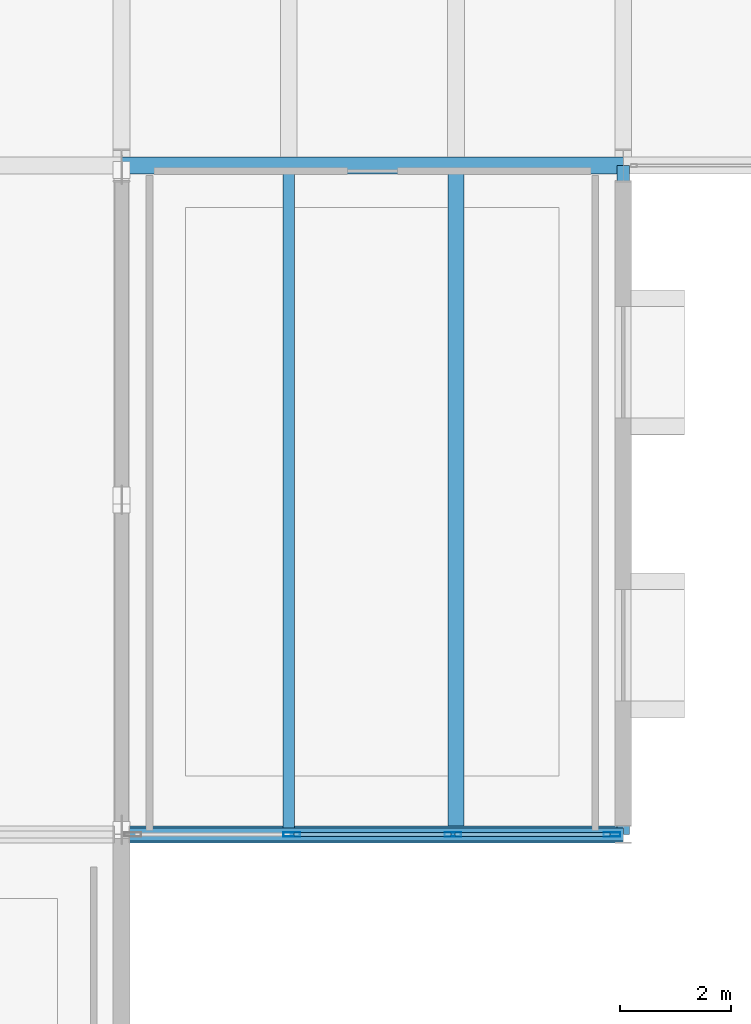
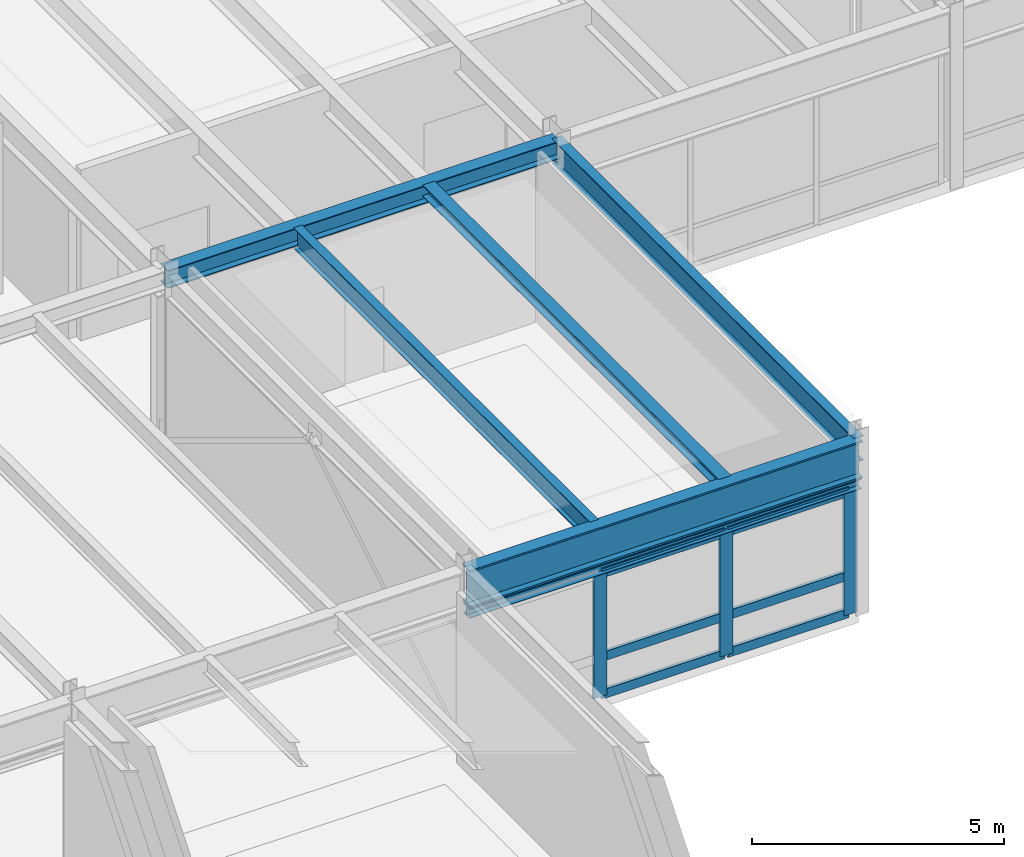
# One storey, part 88 of 127: 9 members, 6 beams, 1 element without a shape of its own.
"""IFC4 building model written with IfcOpenShell, lengths in metres."""

from ifc_helpers import new_model, si_unit, direction, frame, origin, origin_2d, place, context, subcontext, project, spatial, hollow_rectangle, i_section, extrude, material, layer, layer_set, material_profile, profile_set, type_object, element, aggregate, save


model = new_model("IFC4")

# Units and contexts
model_context = context("Model", 3, precision=1e-05, world=origin(), true_north=direction((0.0, 1.0)))
body_context = subcontext(model_context, "Body", "Model", "MODEL_VIEW")
ifc_project = project(units=[si_unit("LENGTHUNIT", "METRE"), si_unit("AREAUNIT", "SQUARE_METRE"), si_unit("VOLUMEUNIT", "CUBIC_METRE"), si_unit("PLANEANGLEUNIT", "RADIAN"), si_unit("MASSUNIT", "GRAM", prefix="KILO")], contexts=[model_context])

# Site, building, storey
site_placement = place(None, origin())
site = spatial("IfcSite", under=ifc_project, at=site_placement, CompositionType="ELEMENT")
building_placement = place(site_placement, origin())
building = spatial("IfcBuilding", under=site, at=building_placement, Name="Montelvaro Courts of Justice", CompositionType="ELEMENT")
storey_placement = place(building_placement, frame((0.0, 0.0, 5.39990234375)))
storey = spatial("IfcBuildingStorey", under=building, at=storey_placement, Name="L01", CompositionType="ELEMENT", Elevation=5.39990234375)

# Beams
ifc_material_1 = material(Name="Steel S355", Category="steel")
ifc_material_profile_1 = material_profile(ifc_material_1, i_section(OverallWidth=0.239990234375, OverallDepth=0.22998046875, WebThickness=0.007568359375, FlangeThickness=0.011962890625, at=origin_2d()), Name="HEA 240")
ifc_profile_set_1 = profile_set([ifc_material_profile_1], Name="Steel S355")
beam_type_1 = type_object("IfcBeamType", Name="Beam_HEA240", PredefinedType="LINTEL", material=ifc_profile_set_1)
beam_1_placement = place(storey_placement, frame((126.0, 66.0, 3.135009765625), z_axis=(1.0, 0.0, 0.0), x_axis=(0.0, 1.0, 0.0)))
element("IfcBeam", 1, at=beam_1_placement, inside=storey, type_object=beam_type_1, Name="Beam B-13 L01", PredefinedType="LINTEL", context=body_context, shape_type="SweptSolid", body=[
    extrude(i_section(OverallWidth=0.239990234375, OverallDepth=0.22998046875, WebThickness=0.007568359375, FlangeThickness=0.011962890625, at=origin_2d()), origin(), (0.0, 0.0, 1.0), 9.0),
])
ifc_material_profile_2 = material_profile(ifc_material_1, i_section(OverallWidth=0.280029296875, OverallDepth=0.27001953125, WebThickness=0.008056640625, FlangeThickness=0.012939453125, at=origin_2d()), Name="HEA 280")
ifc_profile_set_2 = profile_set([ifc_material_profile_2], Name="Steel S355")
beam_type_2 = type_object("IfcBeamType", Name="Beam_HEA280", PredefinedType="BEAM", material=ifc_profile_set_2)
beam_2_placement = place(storey_placement, frame((132.0, 66.110107421875, 4.065185546875), z_axis=(0.0, 1.0, 0.0), x_axis=(-1.0, 0.0, 0.0)))
element("IfcBeam", 2, at=beam_2_placement, inside=storey, type_object=beam_type_2, Name="Beam B-14 L01", PredefinedType="BEAM", context=body_context, shape_type="SweptSolid", body=[
    extrude(i_section(OverallWidth=0.280029296875, OverallDepth=0.27001953125, WebThickness=0.008056640625, FlangeThickness=0.012939453125, at=origin_2d()), origin(), (0.0, 0.0, 1.0), 11.77978515625),
])
ifc_material_profile_3 = material_profile(ifc_material_1, i_section(OverallWidth=0.300048828125, OverallDepth=0.43994140625, WebThickness=0.011474609375, FlangeThickness=0.02099609375, at=origin_2d()), Name="HEA 450")
ifc_profile_set_3 = profile_set([ifc_material_profile_3], Name="Steel S355")
beam_type_3 = type_object("IfcBeamType", Name="Beam_HEA450", PredefinedType="USERDEFINED", material=ifc_profile_set_3)
beam_3_placement = place(storey_placement, frame((126.0, 78.0, 3.97998046875), z_axis=(1.0, 0.0, 0.0), x_axis=(0.0, 1.0, 0.0)))
element("IfcBeam", 3, at=beam_3_placement, inside=storey, type_object=beam_type_3, Name="Beam B-18 L01", ObjectType="GIRDER", PredefinedType="USERDEFINED", context=body_context, shape_type="SweptSolid", body=[
    extrude(i_section(OverallWidth=0.300048828125, OverallDepth=0.43994140625, WebThickness=0.011474609375, FlangeThickness=0.02099609375, at=origin_2d()), origin(), (0.0, 0.0, 1.0), 9.0),
])
ifc_material_profile_4 = material_profile(ifc_material_1, i_section(OverallWidth=0.302001953125, OverallDepth=0.909912109375, WebThickness=0.02099609375, FlangeThickness=0.0400390625, at=origin_2d()), Name="HEM 900")
ifc_profile_set_4 = profile_set([ifc_material_profile_4], Name="Steel S355")
beam_type_4 = type_object("IfcBeamType", Name="Beam_HEM900", PredefinedType="USERDEFINED", material=ifc_profile_set_4)
beam_4_placement = place(storey_placement, frame((126.0, 66.0, 3.7451171875), z_axis=(1.0, 0.0, 0.0), x_axis=(0.0, 1.0, 0.0)))
element("IfcBeam", 4, at=beam_4_placement, inside=storey, type_object=beam_type_4, Name="Beam B-31 L01", ObjectType="GIRDER", PredefinedType="USERDEFINED", context=body_context, shape_type="SweptSolid", body=[
    extrude(i_section(OverallWidth=0.302001953125, OverallDepth=0.909912109375, WebThickness=0.02099609375, FlangeThickness=0.0400390625, at=origin_2d()), origin(), (0.0, 0.0, 1.0), 9.0),
])
ifc_material_profile_5 = material_profile(ifc_material_1, i_section(OverallWidth=0.199951171875, OverallDepth=0.5, WebThickness=0.01025390625, FlangeThickness=0.01611328125, at=origin_2d()), Name="IPE 500")
ifc_profile_set_5 = profile_set([ifc_material_profile_5], Name="Steel S355")
beam_type_5 = type_object("IfcBeamType", Name="Beam_IPE500", PredefinedType="BEAM", material=ifc_profile_set_5)
beam_5_placement = place(storey_placement, frame((129.0, 66.110107421875, 3.9501953125), z_axis=(0.0, 1.0, 0.0), x_axis=(-1.0, 0.0, 0.0)))
element("IfcBeam", 5, at=beam_5_placement, inside=storey, type_object=beam_type_5, Name="Beam B-10 L01", PredefinedType="BEAM", context=body_context, shape_type="SweptSolid", body=[
    extrude(i_section(OverallWidth=0.199951171875, OverallDepth=0.5, WebThickness=0.01025390625, FlangeThickness=0.01611328125, at=origin_2d()), origin(), (0.0, 0.0, 1.0), 11.77978515625),
])
ifc_material_profile_6 = material_profile(ifc_material_1, i_section(OverallWidth=0.219970703125, OverallDepth=0.60009765625, WebThickness=0.011962890625, FlangeThickness=0.01904296875, at=origin_2d()), Name="IPE 600")
ifc_profile_set_6 = profile_set([ifc_material_profile_6], Name="Steel S355")
beam_type_6 = type_object("IfcBeamType", Name="Beam_IPE600", PredefinedType="USERDEFINED", material=ifc_profile_set_6)
beam_6_placement = place(storey_placement, frame((135.0, 66.0, 3.900146484375), z_axis=(0.0, 1.0, 0.0), x_axis=(-1.0, 0.0, 0.0)))
element("IfcBeam", 6, at=beam_6_placement, inside=storey, type_object=beam_type_6, Name="Beam B-12 L01", ObjectType="GIRDER", PredefinedType="USERDEFINED", context=body_context, shape_type="SweptSolid", body=[
    extrude(i_section(OverallWidth=0.219970703125, OverallDepth=0.60009765625, WebThickness=0.011962890625, FlangeThickness=0.01904296875, at=origin_2d()), origin(), (0.0, 0.0, 1.0), 12.0),
])

# Curtain wall, members
ifc_material_2 = material(Name="Anodised aluminium EN AW-6063", Category="aluminium")
ifc_layer = layer(ifc_material_2, 0.159912109375)
ifc_layer_set = layer_set([ifc_layer], Name="Anodised aluminium EN AW-6063")
curtain_wall_type = type_object("IfcCurtainWallType", Name="CurtainWall_14_867x418", PredefinedType="USERDEFINED", material=ifc_layer_set)
curtain_wall_placement = place(storey_placement, origin())
curtain_wall = element("IfcCurtainWall", 7, at=curtain_wall_placement, inside=storey, type_object=curtain_wall_type, Name="Curtain Wall CW-14 (L01)", ObjectType="CURTAIN WALL", PredefinedType="USERDEFINED")
ifc_material_profile_7 = material_profile(ifc_material_2, hollow_rectangle(XDim=0.074951171875, YDim=0.300048828125, WallThickness=0.006103515625, at=origin_2d()), Name="ALU-M 75x300")
ifc_profile_set_7 = profile_set([ifc_material_profile_7], Name="Anodised aluminium EN AW-6063")
member_type_1 = type_object("IfcMemberType", Name="CurtainWall_Mullion_75x300", PredefinedType="MULLION", material=ifc_profile_set_7)
member_1_placement = place(storey_placement, frame((129.054931640625, 66.0, 0.0), z_axis=(0.0, 0.0, 1.0), x_axis=(0.0, 1.0, 0.0)))
member_1 = element("IfcMember", 8, at=member_1_placement, type_object=member_type_1, Name="CW-14 mullion 2", PredefinedType="MULLION", context=body_context, shape_type="SweptSolid", body=[
    extrude(hollow_rectangle(XDim=0.074951171875, YDim=0.300048828125, WallThickness=0.006103515625, at=origin_2d()), origin(), (0.0, 0.0, 1.0), 3.01513671875),
])
member_2_placement = place(storey_placement, frame((131.945068359375, 66.0, 0.0), z_axis=(0.0, 0.0, 1.0), x_axis=(0.0, 1.0, 0.0)))
member_2 = element("IfcMember", 9, at=member_2_placement, type_object=member_type_1, Name="CW-14 mullion 3", PredefinedType="MULLION", context=body_context, shape_type="SweptSolid", body=[
    extrude(hollow_rectangle(XDim=0.074951171875, YDim=0.300048828125, WallThickness=0.006103515625, at=origin_2d()), origin(), (0.0, 0.0, 1.0), 3.01513671875),
])
member_3_placement = place(storey_placement, frame((134.797607421875, 66.0, 0.0), z_axis=(0.0, 0.0, 1.0), x_axis=(0.0, 1.0, 0.0)))
member_3 = element("IfcMember", 10, at=member_3_placement, type_object=member_type_1, Name="CW-14 mullion 4", PredefinedType="MULLION", context=body_context, shape_type="SweptSolid", body=[
    extrude(hollow_rectangle(XDim=0.074951171875, YDim=0.300048828125, WallThickness=0.006103515625, at=origin_2d()), origin(), (0.0, 0.0, 1.0), 3.01513671875),
])
ifc_material_profile_8 = material_profile(ifc_material_2, hollow_rectangle(XDim=0.074951171875, YDim=0.219970703125, WallThickness=0.005615234375, at=origin_2d()), Name="ALU-T 75x220")
ifc_profile_set_8 = profile_set([ifc_material_profile_8], Name="Anodised aluminium EN AW-6063")
member_type_2 = type_object("IfcMemberType", Name="CurtainWall_Transom_75x220", PredefinedType="USERDEFINED", material=ifc_profile_set_8)
member_4_placement = place(storey_placement, frame((129.092529296875, 66.0, 0.03759765625), z_axis=(1.0, 0.0, 0.0), x_axis=(0.0, 1.0, 0.0)))
member_4 = element("IfcMember", 11, at=member_4_placement, type_object=member_type_2, Name="CW-14 transom 2.1", ObjectType="TRANSOM", PredefinedType="USERDEFINED", context=body_context, shape_type="SweptSolid", body=[
    extrude(hollow_rectangle(XDim=0.074951171875, YDim=0.219970703125, WallThickness=0.005615234375, at=origin_2d()), origin(), (0.0, 0.0, 1.0), 2.81494140625),
])
member_5_placement = place(storey_placement, frame((129.092529296875, 66.0, 0.9501953125), z_axis=(1.0, 0.0, 0.0), x_axis=(0.0, 1.0, 0.0)))
member_5 = element("IfcMember", 12, at=member_5_placement, type_object=member_type_2, Name="CW-14 transom 2.2", ObjectType="TRANSOM", PredefinedType="USERDEFINED", context=body_context, shape_type="SweptSolid", body=[
    extrude(hollow_rectangle(XDim=0.074951171875, YDim=0.219970703125, WallThickness=0.005615234375, at=origin_2d()), origin(), (0.0, 0.0, 1.0), 2.81494140625),
])
member_6_placement = place(storey_placement, frame((129.092529296875, 66.0, 2.9775390625), z_axis=(1.0, 0.0, 0.0), x_axis=(0.0, 1.0, 0.0)))
member_6 = element("IfcMember", 13, at=member_6_placement, type_object=member_type_2, Name="CW-14 transom 2.3", ObjectType="TRANSOM", PredefinedType="USERDEFINED", context=body_context, shape_type="SweptSolid", body=[
    extrude(hollow_rectangle(XDim=0.074951171875, YDim=0.219970703125, WallThickness=0.005615234375, at=origin_2d()), origin(), (0.0, 0.0, 1.0), 2.81494140625),
])
member_7_placement = place(storey_placement, frame((131.982421875, 66.0, 0.03759765625), z_axis=(1.0, 0.0, 0.0), x_axis=(0.0, 1.0, 0.0)))
member_7 = element("IfcMember", 14, at=member_7_placement, type_object=member_type_2, Name="CW-14 transom 3.1", ObjectType="TRANSOM", PredefinedType="USERDEFINED", context=body_context, shape_type="SweptSolid", body=[
    extrude(hollow_rectangle(XDim=0.074951171875, YDim=0.219970703125, WallThickness=0.005615234375, at=origin_2d()), origin(), (0.0, 0.0, 1.0), 2.777587890625),
])
member_8_placement = place(storey_placement, frame((131.982421875, 66.0, 0.9501953125), z_axis=(1.0, 0.0, 0.0), x_axis=(0.0, 1.0, 0.0)))
member_8 = element("IfcMember", 15, at=member_8_placement, type_object=member_type_2, Name="CW-14 transom 3.2", ObjectType="TRANSOM", PredefinedType="USERDEFINED", context=body_context, shape_type="SweptSolid", body=[
    extrude(hollow_rectangle(XDim=0.074951171875, YDim=0.219970703125, WallThickness=0.005615234375, at=origin_2d()), origin(), (0.0, 0.0, 1.0), 2.777587890625),
])
member_9_placement = place(storey_placement, frame((131.982421875, 66.0, 2.9775390625), z_axis=(1.0, 0.0, 0.0), x_axis=(0.0, 1.0, 0.0)))
member_9 = element("IfcMember", 16, at=member_9_placement, type_object=member_type_2, Name="CW-14 transom 3.3", ObjectType="TRANSOM", PredefinedType="USERDEFINED", context=body_context, shape_type="SweptSolid", body=[
    extrude(hollow_rectangle(XDim=0.074951171875, YDim=0.219970703125, WallThickness=0.005615234375, at=origin_2d()), origin(), (0.0, 0.0, 1.0), 2.777587890625),
])
aggregate(curtain_wall, [member_1, member_2, member_3, member_4, member_5, member_6, member_7, member_8, member_9])

save(model, "model.ifc")
